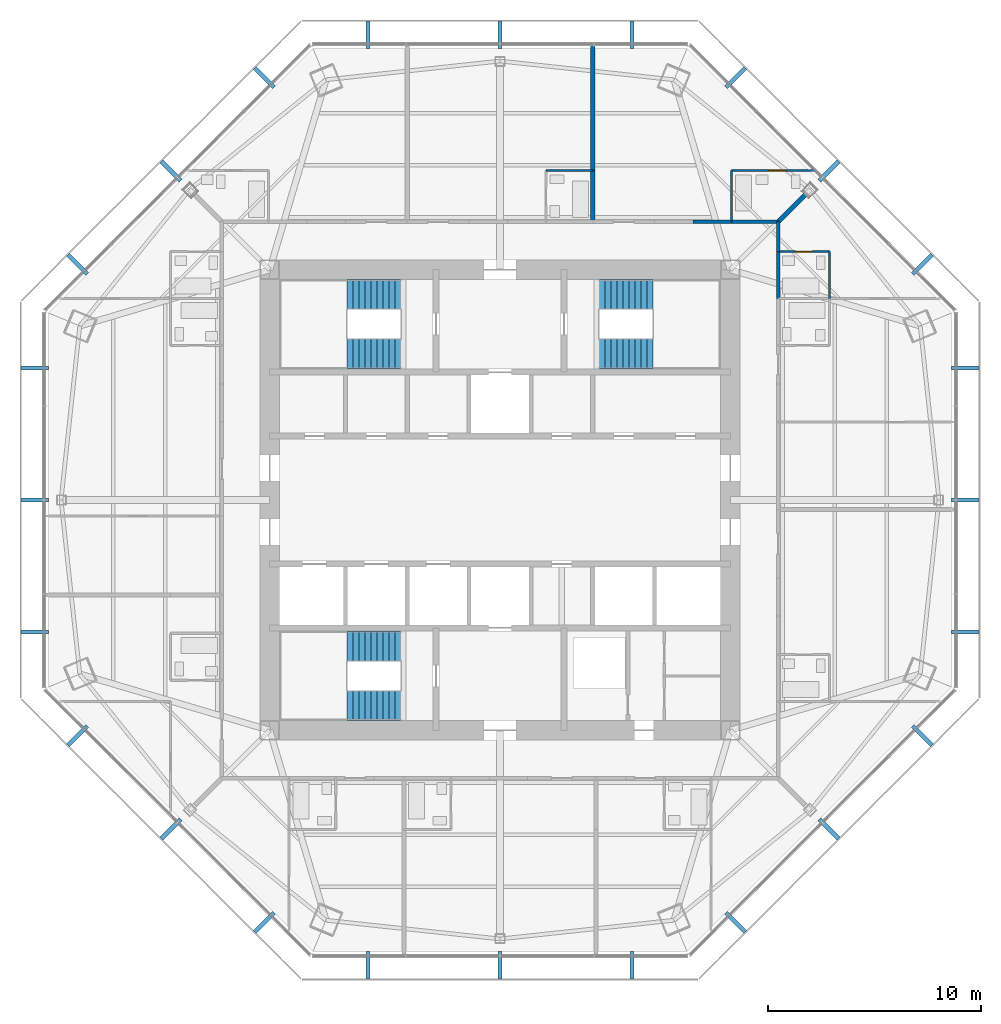
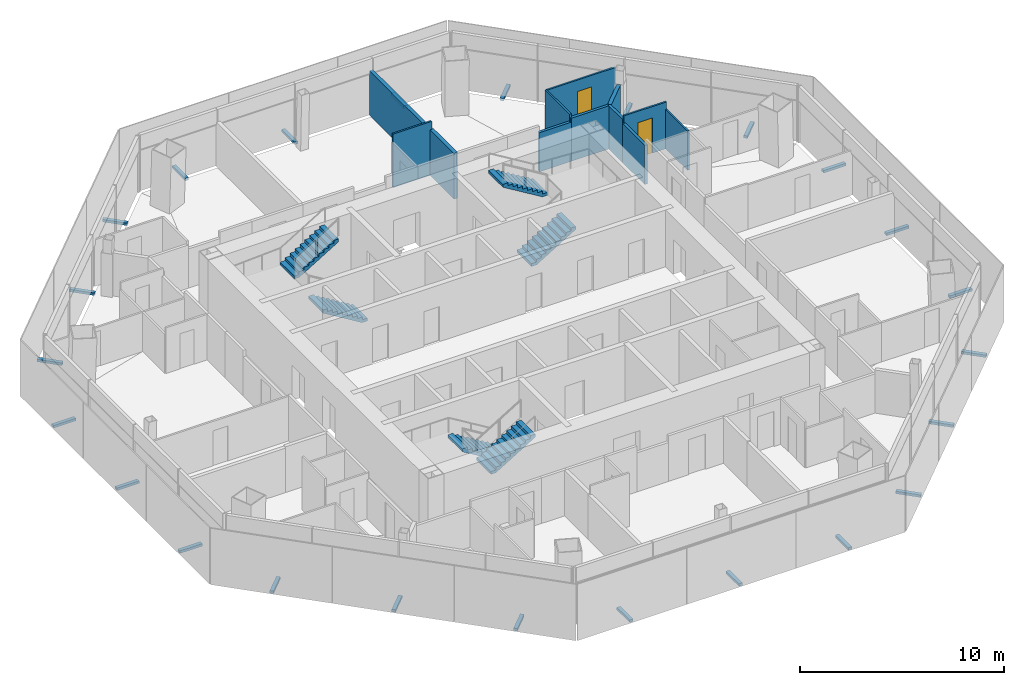
# One storey, part 13 of 15: 24 discrete accessories, 12 walls, 6 stair flights, 2 doors, 2 openings, 3 elements without a shape of their own.
"""IFC4 building model written with IfcOpenShell, lengths in metres."""

from ifc_helpers import new_model, si_unit, direction, frame, frame_2d, origin, origin_2d, place, context, subcontext, project, spatial, polyline, rectangle, outline, extrude, source, transform, mapped, material, layer, layer_set, type_object, type_shapes, element, fill, aggregate, save


model = new_model("IFC4")

# Units and contexts
model_context = context("Model", 3, precision=1e-05, world=origin(), true_north=direction((0.0, 1.0)))
body_context = subcontext(model_context, "Body", "Model", "MODEL_VIEW")
ifc_project = project(units=[si_unit("LENGTHUNIT", "METRE"), si_unit("AREAUNIT", "SQUARE_METRE"), si_unit("VOLUMEUNIT", "CUBIC_METRE"), si_unit("PLANEANGLEUNIT", "RADIAN"), si_unit("MASSUNIT", "GRAM", prefix="KILO")], contexts=[model_context])

# Site, building, storey
site_placement = place(None, origin())
site = spatial("IfcSite", under=ifc_project, at=site_placement, CompositionType="ELEMENT")
building_placement = place(site_placement, origin())
building = spatial("IfcBuilding", under=site, at=building_placement, Name="Mashrafa Tower", CompositionType="ELEMENT")
storey_placement = place(building_placement, frame((0.0, 0.0, 234.60009765625)))
storey = spatial("IfcBuildingStorey", under=building, at=storey_placement, Name="L55", CompositionType="ELEMENT", Elevation=234.60009765625)

# Walls
ifc_material_1 = material(Name="Gypsum board on steel studs", Category="steel")
ifc_layer_1 = layer(ifc_material_1, 0.199951171875)
ifc_layer_set_1 = layer_set([ifc_layer_1], Name="Acoustic partition 200 1 hr")
wall_type_1 = type_object("IfcWallType", Name="Acoustic partition 200 1 hr", PredefinedType="PARTITIONING", material=ifc_layer_set_1)
wall_1_placement = place(storey_placement, frame((14.310302734375, 14.310302734375, 0.0), z_axis=(0.0, 0.0, 1.0), x_axis=(-0.707106781187, -0.707106781187, 0.0)))
element("IfcWall", 1, at=wall_1_placement, inside=storey, type_object=wall_type_1, Name="Acoustic wall L55-056", PredefinedType="PARTITIONING", context=body_context, shape_type="SweptSolid", body=[
    extrude(rectangle(XDim=1.7822265625, YDim=0.199951171875, at=frame_2d((0.89111328125, 0.0))), origin(), (0.0, 0.0, 1.0), 2.582763671875),
])
wall_2_placement = place(storey_placement, frame((4.35009765625, 15.450927734375, 0.0), z_axis=(0.0, 0.0, 1.0), x_axis=(0.0, -1.0, 0.0)))
element("IfcWall", 2, at=wall_2_placement, inside=storey, type_object=wall_type_1, Name="Acoustic wall L55-063", PredefinedType="PARTITIONING", context=body_context, shape_type="SweptSolid", body=[
    extrude(rectangle(XDim=2.40087890625, YDim=0.199951171875, at=frame_2d((1.200439453125, 0.0))), origin(), (0.0, 0.0, 1.0), 2.730224609375),
])
wall_3_placement = place(storey_placement, frame((4.35009765625, 21.360107421875, 0.0), z_axis=(0.0, 0.0, 1.0), x_axis=(0.0, -1.0, 0.0)))
element("IfcWall", 3, at=wall_3_placement, inside=storey, type_object=wall_type_1, Name="Acoustic wall L55-064", PredefinedType="PARTITIONING", context=body_context, shape_type="SweptSolid", body=[
    extrude(rectangle(XDim=5.9111328125, YDim=0.199951171875, at=frame_2d((2.95556640625, 0.0))), origin(), (0.0, 0.0, 1.0), 2.66162109375),
])
ifc_material_2 = material(Name="Gypsum board on steel studs", Category="steel")
ifc_layer_2 = layer(ifc_material_2, 0.14990234375)
ifc_layer_set_2 = layer_set([ifc_layer_2], Name="Corridor partition 150 1 hr")
wall_type_2 = type_object("IfcWallType", Name="Corridor partition 150 1 hr", PredefinedType="PARTITIONING", material=ifc_layer_set_2)
wall_4_placement = place(storey_placement, frame((13.050048828125, 9.448974609375, 0.0), z_axis=(0.0, 0.0, 1.0), x_axis=(0.0, 1.0, 0.0)))
element("IfcWall", 4, at=wall_4_placement, inside=storey, type_object=wall_type_2, Name="Corridor wall L55-006", PredefinedType="PARTITIONING", context=body_context, shape_type="SweptSolid", body=[
    extrude(rectangle(XDim=2.201904296875, YDim=0.14990234375, at=frame_2d((1.10107421875, 0.0))), origin(), (0.0, 0.0, 1.0), 2.343994140625),
])
wall_5_placement = place(storey_placement, frame((13.050048828125, 11.64892578125, 0.0), z_axis=(0.0, 0.0, 1.0), x_axis=(0.0, 1.0, 0.0)))
element("IfcWall", 5, at=wall_5_placement, inside=storey, type_object=wall_type_2, Name="Corridor wall L55-007", PredefinedType="PARTITIONING", context=body_context, shape_type="SweptSolid", body=[
    extrude(rectangle(XDim=1.401123046875, YDim=0.14990234375, at=frame_2d((0.70068359375, 0.0))), origin(), (0.0, 0.0, 1.0), 2.582763671875),
])
wall_6_placement = place(storey_placement, frame((13.050048828125, 13.050048828125, 0.0), z_axis=(0.0, 0.0, 1.0), x_axis=(-1.0, 0.0, 0.0)))
element("IfcWall", 6, at=wall_6_placement, inside=storey, type_object=wall_type_2, Name="Corridor wall L55-012", PredefinedType="PARTITIONING", context=body_context, shape_type="SweptSolid", body=[
    extrude(rectangle(XDim=2.200927734375, YDim=0.14990234375, at=frame_2d((1.1005859375, 0.0))), origin(), (0.0, 0.0, 1.0), 2.582763671875),
])
wall_7_placement = place(storey_placement, frame((10.85107421875, 13.050048828125, 0.0), z_axis=(0.0, 0.0, 1.0), x_axis=(-1.0, 0.0, 0.0)))
element("IfcWall", 7, at=wall_7_placement, inside=storey, type_object=wall_type_2, Name="Corridor wall L55-015", PredefinedType="PARTITIONING", context=body_context, shape_type="SweptSolid", body=[
    extrude(rectangle(XDim=1.802001953125, YDim=0.14990234375, at=frame_2d((0.90087890625, 0.0))), origin(), (0.0, 0.0, 1.0), 2.343994140625),
])
ifc_material_3 = material(Name="Gypsum board on steel studs", Category="steel")
ifc_layer_3 = layer(ifc_material_3, 0.10009765625)
ifc_layer_set_3 = layer_set([ifc_layer_3], Name="Partition 100")
wall_type_3 = type_object("IfcWallType", Name="Partition 100", PredefinedType="PARTITIONING", material=ifc_layer_set_3)
wall_8_placement = place(storey_placement, frame((15.449951171875, 9.449951171875, 0.0), z_axis=(0.0, 0.0, 1.0), x_axis=(0.0, 1.0, 0.0)))
element("IfcWall", 8, at=wall_8_placement, inside=storey, type_object=wall_type_3, Name="Partition wall L55-052", PredefinedType="PARTITIONING", context=body_context, shape_type="SweptSolid", body=[
    extrude(rectangle(XDim=2.199951171875, YDim=0.10009765625, at=frame_2d((1.10009765625, 0.0))), origin(), (0.0, 0.0, 1.0), 2.343994140625),
])

# Wall, opening, door
wall_9_placement = place(storey_placement, frame((15.449951171875, 11.64990234375, 0.0), z_axis=(0.0, 0.0, 1.0), x_axis=(-1.0, 0.0, 0.0)))
wall_9 = element("IfcWall", 9, at=wall_9_placement, inside=storey, type_object=wall_type_3, Name="Partition wall L55-053", PredefinedType="PARTITIONING", context=body_context, shape_type="SweptSolid", body=[
    extrude(rectangle(XDim=2.39990234375, YDim=0.10009765625, at=frame_2d((1.199951171875, 0.0))), origin(), (0.0, 0.0, 1.0), 2.785888671875),
])
opening_1_placement = place(wall_9_placement, frame((0.800048828125, 0.0, 0.0)))
opening_1 = element("IfcOpeningElement", 10, at=opening_1_placement, cuts=wall_9, Name="Opening 55.004", PredefinedType="OPENING", context=body_context, shape_type="SweptSolid", body=[
    extrude(rectangle(XDim=0.800048828125, YDim=2.10009765625, at=frame_2d((0.39990234375, 1.050048828125))), frame((0.0, 0.06005859375, 0.0), z_axis=(0.0, -1.0, 0.0), x_axis=(1.0, 0.0, 0.0)), (0.0, 0.0, 1.0), 0.1201171875),
])
ifc_material_4 = material(Name="Timber door", Category="wood")
door_type = type_object("IfcDoorType", Name="Bathroom door 800 x 2100", OperationType="USERDEFINED", PredefinedType="DOOR", material=ifc_material_4)
door_1_placement = place(opening_1_placement, origin())
door_1 = element("IfcDoor", 11, at=door_1_placement, inside=storey, type_object=door_type, Name="Apartment 5502 En-suite Bathroom door", OperationType="SINGLE_SWING_RIGHT", OverallHeight=2.10009765625, OverallWidth=0.800048828125, PredefinedType="DOOR", context=body_context, shape_type="SweptSolid", body=[
    extrude(rectangle(XDim=0.800048828125, YDim=2.10009765625, at=frame_2d((0.39990234375, 1.050048828125))), frame((0.0, 0.02490234375, 0.0), z_axis=(0.0, -1.0, 0.0), x_axis=(1.0, 0.0, 0.0)), (0.0, 0.0, 1.0), 0.050048828125),
])
fill(opening_1, door_1)

wall_10_placement = place(storey_placement, frame((14.76171875, 15.449951171875, 0.0), z_axis=(0.0, 0.0, 1.0), x_axis=(-1.0, 0.0, 0.0)))
wall_10 = element("IfcWall", 12, at=wall_10_placement, inside=storey, type_object=wall_type_3, Name="Partition wall L55-061", PredefinedType="PARTITIONING", context=body_context, shape_type="SweptSolid", body=[
    extrude(rectangle(XDim=3.91162109375, YDim=0.10009765625, at=frame_2d((1.955810546875, 0.0))), origin(), (0.0, 0.0, 1.0), 2.783447265625),
])
opening_2_placement = place(wall_10_placement, frame((1.35888671875, 0.0, 0.0)))
opening_2 = element("IfcOpeningElement", 13, at=opening_2_placement, cuts=wall_10, Name="Opening 55.009", PredefinedType="OPENING", context=body_context, shape_type="SweptSolid", body=[
    extrude(rectangle(XDim=0.800048828125, YDim=2.10009765625, at=frame_2d((0.39990234375, 1.050048828125))), frame((0.0, 0.06005859375, 0.0), z_axis=(0.0, -1.0, 0.0), x_axis=(1.0, 0.0, 0.0)), (0.0, 0.0, 1.0), 0.1201171875),
])
door_2_placement = place(opening_2_placement, origin())
door_2 = element("IfcDoor", 14, at=door_2_placement, inside=storey, type_object=door_type, Name="Apartment 5503 Bathroom door", OperationType="SINGLE_SWING_LEFT", OverallHeight=2.10009765625, OverallWidth=0.800048828125, PredefinedType="DOOR", context=body_context, shape_type="SweptSolid", body=[
    extrude(rectangle(XDim=0.800048828125, YDim=2.10009765625, at=frame_2d((0.39990234375, 1.050048828125))), frame((0.0, 0.02490234375, 0.0), z_axis=(0.0, -1.0, 0.0), x_axis=(1.0, 0.0, 0.0)), (0.0, 0.0, 1.0), 0.050048828125),
])
fill(opening_2, door_2)

# Walls
wall_11_placement = place(storey_placement, frame((10.85009765625, 15.449951171875, 0.0), z_axis=(0.0, 0.0, 1.0), x_axis=(0.0, -1.0, 0.0)))
element("IfcWall", 15, at=wall_11_placement, inside=storey, type_object=wall_type_3, Name="Partition wall L55-062", PredefinedType="PARTITIONING", context=body_context, shape_type="SweptSolid", body=[
    extrude(rectangle(XDim=2.39990234375, YDim=0.10009765625, at=frame_2d((1.199951171875, 0.0))), origin(), (0.0, 0.0, 1.0), 2.785888671875),
])
wall_12_placement = place(storey_placement, frame((4.35009765625, 15.449951171875, 0.0), z_axis=(0.0, 0.0, 1.0), x_axis=(-1.0, 0.0, 0.0)))
element("IfcWall", 16, at=wall_12_placement, inside=storey, type_object=wall_type_3, Name="Partition wall L55-065", PredefinedType="PARTITIONING", context=body_context, shape_type="SweptSolid", body=[
    extrude(rectangle(XDim=2.2001953125, YDim=0.10009765625, at=frame_2d((1.10009765625, 0.0))), origin(), (0.0, 0.0, 1.0), 3.199951171875),
])

# Stair, stair flights
ifc_material_5 = material(Name="Exit stair 1400")
stair_type = type_object("IfcStairType", Name="Exit stair 1400", PredefinedType="HALF_TURN_STAIR", material=ifc_material_5)
stair_1_placement = place(storey_placement, origin())
stair_1 = element("IfcStair", 17, at=stair_1_placement, inside=storey, type_object=stair_type, Name="Stair S1 L55", PredefinedType="HALF_TURN_STAIR")
ifc_material_6 = material(Name="Concrete C32/40", Category="concrete")
stair_flight_type = type_object("IfcStairFlightType", Name="Stair flight 1400", PredefinedType="STRAIGHT", material=ifc_material_6)
stair_flight_1_placement = place(storey_placement, frame((-4.64990234375, 6.85009765625, 0.0), z_axis=(0.0, 0.0, 1.0), x_axis=(-1.0, 0.0, 0.0)))
stair_flight_1 = element("IfcStairFlight", 18, at=stair_flight_1_placement, type_object=stair_flight_type, Name="S1 flight 1", NumberOfRisers=10, NumberOfTreads=9, PredefinedType="STRAIGHT", RiserHeight=0.17, TreadLength=0.28, context=body_context, shape_type="SweptSolid", body=[
    extrude(outline(polyline([(0.0, 0.0), (0.0, 0.169921875), (0.280029296875, 0.169921875), (0.280029296875, 0.340087890625), (0.56005859375, 0.340087890625), (0.56005859375, 0.510009765625), (0.840087890625, 0.510009765625), (0.840087890625, 0.679931640625), (1.1201171875, 0.679931640625), (1.1201171875, 0.85009765625), (1.39990234375, 0.85009765625), (1.39990234375, 1.02001953125), (1.679931640625, 1.02001953125), (1.679931640625, 1.18994140625), (1.9599609375, 1.18994140625), (1.9599609375, 1.360107421875), (2.239990234375, 1.360107421875), (2.239990234375, 1.530029296875), (2.52001953125, 1.530029296875), (2.52001953125, 1.699951171875), (2.52001953125, 1.354736328125), (0.288818359375, 0.0), (0.0, 0.0)])), frame((0.0, 0.699951171875, 0.0), z_axis=(0.0, -1.0, 0.0), x_axis=(1.0, 0.0, 0.0)), (0.0, 0.0, 1.0), 1.39990234375),
])
stair_flight_2_placement = place(storey_placement, frame((-7.169921875, 9.64990234375, 1.699951171875), z_axis=(0.0, 0.0, 1.0), x_axis=(1.0, 0.0, 0.0)))
stair_flight_2 = element("IfcStairFlight", 19, at=stair_flight_2_placement, type_object=stair_flight_type, Name="S1 flight 2", NumberOfRisers=10, NumberOfTreads=9, PredefinedType="STRAIGHT", RiserHeight=0.17, TreadLength=0.28, context=body_context, shape_type="SweptSolid", body=[
    extrude(outline(polyline([(0.0, 0.0), (0.0, 0.169921875), (0.280029296875, 0.169921875), (0.280029296875, 0.340087890625), (0.56005859375, 0.340087890625), (0.56005859375, 0.510009765625), (0.840087890625, 0.510009765625), (0.840087890625, 0.679931640625), (1.1201171875, 0.679931640625), (1.1201171875, 0.85009765625), (1.39990234375, 0.85009765625), (1.39990234375, 1.02001953125), (1.679931640625, 1.02001953125), (1.679931640625, 1.18994140625), (1.9599609375, 1.18994140625), (1.9599609375, 1.360107421875), (2.239990234375, 1.360107421875), (2.239990234375, 1.530029296875), (2.52001953125, 1.530029296875), (2.52001953125, 1.699951171875), (2.52001953125, 1.354736328125), (0.288818359375, 0.0), (0.0, 0.0)])), frame((0.0, 0.699951171875, 0.0), z_axis=(0.0, -1.0, 0.0), x_axis=(1.0, 0.0, 0.0)), (0.0, 0.0, 1.0), 1.39990234375),
])
aggregate(stair_1, [stair_flight_1, stair_flight_2])

stair_2_placement = place(storey_placement, origin())
stair_2 = element("IfcStair", 20, at=stair_2_placement, inside=storey, type_object=stair_type, Name="Stair S2 L55", PredefinedType="HALF_TURN_STAIR")
stair_flight_3_placement = place(storey_placement, frame((4.64990234375, 6.85009765625, 0.0), z_axis=(0.0, 0.0, 1.0), x_axis=(1.0, 0.0, 0.0)))
stair_flight_3 = element("IfcStairFlight", 21, at=stair_flight_3_placement, type_object=stair_flight_type, Name="S2 flight 1", NumberOfRisers=10, NumberOfTreads=9, PredefinedType="STRAIGHT", RiserHeight=0.17, TreadLength=0.28, context=body_context, shape_type="SweptSolid", body=[
    extrude(outline(polyline([(0.0, 0.0), (0.0, 0.169921875), (0.280029296875, 0.169921875), (0.280029296875, 0.340087890625), (0.56005859375, 0.340087890625), (0.56005859375, 0.510009765625), (0.840087890625, 0.510009765625), (0.840087890625, 0.679931640625), (1.1201171875, 0.679931640625), (1.1201171875, 0.85009765625), (1.39990234375, 0.85009765625), (1.39990234375, 1.02001953125), (1.679931640625, 1.02001953125), (1.679931640625, 1.18994140625), (1.9599609375, 1.18994140625), (1.9599609375, 1.360107421875), (2.239990234375, 1.360107421875), (2.239990234375, 1.530029296875), (2.52001953125, 1.530029296875), (2.52001953125, 1.699951171875), (2.52001953125, 1.354736328125), (0.288818359375, 0.0), (0.0, 0.0)])), frame((0.0, 0.699951171875, 0.0), z_axis=(0.0, -1.0, 0.0), x_axis=(1.0, 0.0, 0.0)), (0.0, 0.0, 1.0), 1.39990234375),
])
stair_flight_4_placement = place(storey_placement, frame((7.169921875, 9.64990234375, 1.699951171875), z_axis=(0.0, 0.0, 1.0), x_axis=(-1.0, 0.0, 0.0)))
stair_flight_4 = element("IfcStairFlight", 22, at=stair_flight_4_placement, type_object=stair_flight_type, Name="S2 flight 2", NumberOfRisers=10, NumberOfTreads=9, PredefinedType="STRAIGHT", RiserHeight=0.17, TreadLength=0.28, context=body_context, shape_type="SweptSolid", body=[
    extrude(outline(polyline([(0.0, 0.0), (0.0, 0.169921875), (0.280029296875, 0.169921875), (0.280029296875, 0.340087890625), (0.56005859375, 0.340087890625), (0.56005859375, 0.510009765625), (0.840087890625, 0.510009765625), (0.840087890625, 0.679931640625), (1.1201171875, 0.679931640625), (1.1201171875, 0.85009765625), (1.39990234375, 0.85009765625), (1.39990234375, 1.02001953125), (1.679931640625, 1.02001953125), (1.679931640625, 1.18994140625), (1.9599609375, 1.18994140625), (1.9599609375, 1.360107421875), (2.239990234375, 1.360107421875), (2.239990234375, 1.530029296875), (2.52001953125, 1.530029296875), (2.52001953125, 1.699951171875), (2.52001953125, 1.354736328125), (0.288818359375, 0.0), (0.0, 0.0)])), frame((0.0, 0.699951171875, 0.0), z_axis=(0.0, -1.0, 0.0), x_axis=(1.0, 0.0, 0.0)), (0.0, 0.0, 1.0), 1.39990234375),
])
aggregate(stair_2, [stair_flight_3, stair_flight_4])

stair_3_placement = place(storey_placement, origin())
stair_3 = element("IfcStair", 23, at=stair_3_placement, inside=storey, type_object=stair_type, Name="Stair S3 L55", PredefinedType="HALF_TURN_STAIR")
stair_flight_5_placement = place(storey_placement, frame((-4.64990234375, -6.85009765625, 0.0), z_axis=(0.0, 0.0, 1.0), x_axis=(-1.0, 0.0, 0.0)))
stair_flight_5 = element("IfcStairFlight", 24, at=stair_flight_5_placement, type_object=stair_flight_type, Name="S3 flight 1", NumberOfRisers=10, NumberOfTreads=9, PredefinedType="STRAIGHT", RiserHeight=0.17, TreadLength=0.28, context=body_context, shape_type="SweptSolid", body=[
    extrude(outline(polyline([(0.0, 0.0), (0.0, 0.169921875), (0.280029296875, 0.169921875), (0.280029296875, 0.340087890625), (0.56005859375, 0.340087890625), (0.56005859375, 0.510009765625), (0.840087890625, 0.510009765625), (0.840087890625, 0.679931640625), (1.1201171875, 0.679931640625), (1.1201171875, 0.85009765625), (1.39990234375, 0.85009765625), (1.39990234375, 1.02001953125), (1.679931640625, 1.02001953125), (1.679931640625, 1.18994140625), (1.9599609375, 1.18994140625), (1.9599609375, 1.360107421875), (2.239990234375, 1.360107421875), (2.239990234375, 1.530029296875), (2.52001953125, 1.530029296875), (2.52001953125, 1.699951171875), (2.52001953125, 1.354736328125), (0.288818359375, 0.0), (0.0, 0.0)])), frame((0.0, 0.699951171875, 0.0), z_axis=(0.0, -1.0, 0.0), x_axis=(1.0, 0.0, 0.0)), (0.0, 0.0, 1.0), 1.39990234375),
])
stair_flight_6_placement = place(storey_placement, frame((-7.169921875, -9.64990234375, 1.699951171875), z_axis=(0.0, 0.0, 1.0), x_axis=(1.0, 0.0, 0.0)))
stair_flight_6 = element("IfcStairFlight", 25, at=stair_flight_6_placement, type_object=stair_flight_type, Name="S3 flight 2", NumberOfRisers=10, NumberOfTreads=9, PredefinedType="STRAIGHT", RiserHeight=0.17, TreadLength=0.28, context=body_context, shape_type="SweptSolid", body=[
    extrude(outline(polyline([(0.0, 0.0), (0.0, 0.169921875), (0.280029296875, 0.169921875), (0.280029296875, 0.340087890625), (0.56005859375, 0.340087890625), (0.56005859375, 0.510009765625), (0.840087890625, 0.510009765625), (0.840087890625, 0.679931640625), (1.1201171875, 0.679931640625), (1.1201171875, 0.85009765625), (1.39990234375, 0.85009765625), (1.39990234375, 1.02001953125), (1.679931640625, 1.02001953125), (1.679931640625, 1.18994140625), (1.9599609375, 1.18994140625), (1.9599609375, 1.360107421875), (2.239990234375, 1.360107421875), (2.239990234375, 1.530029296875), (2.52001953125, 1.530029296875), (2.52001953125, 1.699951171875), (2.52001953125, 1.354736328125), (0.288818359375, 0.0), (0.0, 0.0)])), frame((0.0, 0.699951171875, 0.0), z_axis=(0.0, -1.0, 0.0), x_axis=(1.0, 0.0, 0.0)), (0.0, 0.0, 1.0), 1.39990234375),
])
aggregate(stair_3, [stair_flight_5, stair_flight_6])

# Discrete accessories
ifc_material_7 = material(Name="Stainless steel screen bracket", Category="steel")
discrete_accessory_type = type_object("IfcDiscreteAccessoryType", Name="Screen support bracket 200 x 150", PredefinedType="BRACKET", material=ifc_material_7)
shared_shape = source(origin(), body_context, "Body", "SweptSolid", [
    extrude(rectangle(XDim=0.199951171875, YDim=1.27001953125, at=origin_2d()), origin(), (0.0, 0.0, 1.0), 0.14990234375),
])
type_shapes(discrete_accessory_type, [shared_shape])
for number, where, z_axis, x_axis, name in (
    (26, (21.813232421875, -6.192138671875, -0.150146484375), (0.0, 0.0, 1.0), (0.0, 1.0, 0.0), "Screen support bracket L55 east 1"),
    (27, (21.813232421875, 0.0, -0.150146484375), (0.0, 0.0, 1.0), (0.0, 1.0, 0.0), "Screen support bracket L55 east 2"),
    (28, (21.813232421875, 6.192138671875, -0.150146484375), (0.0, 0.0, 1.0), (0.0, 1.0, 0.0), "Screen support bracket L55 east 3"),
    (29, (19.802734375, 11.045654296875, -0.150146484375), (0.0, 0.0, 1.0), (-0.707106781187, 0.707106781187, 0.0), "Screen support bracket L55 north-east 1"),
    (30, (15.42431640625, 15.42431640625, -0.150146484375), (0.0, 0.0, 1.0), (-0.707106781187, 0.707106781187, 0.0), "Screen support bracket L55 north-east 2"),
    (31, (11.045654296875, 19.802734375, -0.150146484375), (0.0, 0.0, 1.0), (-0.707106781187, 0.707106781187, 0.0), "Screen support bracket L55 north-east 3"),
    (32, (6.192138671875, 21.813232421875, -0.150146484375), (0.0, 0.0, 1.0), (-1.0, 0.0, 0.0), "Screen support bracket L55 north 1"),
    (33, (0.0, 21.813232421875, -0.150146484375), (0.0, 0.0, 1.0), (-1.0, 0.0, 0.0), "Screen support bracket L55 north 2"),
    (34, (-6.192138671875, 21.813232421875, -0.150146484375), (0.0, 0.0, 1.0), (-1.0, 0.0, 0.0), "Screen support bracket L55 north 3"),
    (35, (-11.045654296875, 19.802734375, -0.150146484375), (0.0, 0.0, 1.0), (-0.707106781187, -0.707106781187, 0.0), "Screen support bracket L55 north-west 1"),
    (36, (-15.42431640625, 15.42431640625, -0.150146484375), (0.0, 0.0, 1.0), (-0.707106781187, -0.707106781187, 0.0), "Screen support bracket L55 north-west 2"),
    (37, (-19.802734375, 11.045654296875, -0.150146484375), (0.0, 0.0, 1.0), (-0.707106781187, -0.707106781187, 0.0), "Screen support bracket L55 north-west 3"),
    (38, (-21.813232421875, 6.192138671875, -0.150146484375), (0.0, 0.0, 1.0), (0.0, -1.0, 0.0), "Screen support bracket L55 west 1"),
    (39, (-21.813232421875, 0.0, -0.150146484375), (0.0, 0.0, 1.0), (0.0, -1.0, 0.0), "Screen support bracket L55 west 2"),
    (40, (-21.813232421875, -6.192138671875, -0.150146484375), (0.0, 0.0, 1.0), (0.0, -1.0, 0.0), "Screen support bracket L55 west 3"),
    (41, (-19.802734375, -11.045654296875, -0.150146484375), (0.0, 0.0, 1.0), (0.707106781187, -0.707106781187, 0.0), "Screen support bracket L55 south-west 1"),
    (42, (-15.42431640625, -15.42431640625, -0.150146484375), (0.0, 0.0, 1.0), (0.707106781187, -0.707106781187, 0.0), "Screen support bracket L55 south-west 2"),
    (43, (-11.045654296875, -19.802734375, -0.150146484375), (0.0, 0.0, 1.0), (0.707106781187, -0.707106781187, 0.0), "Screen support bracket L55 south-west 3"),
    (44, (-6.192138671875, -21.813232421875, -0.150146484375), (0.0, 0.0, 1.0), (1.0, 0.0, 0.0), "Screen support bracket L55 south 1"),
    (45, (0.0, -21.813232421875, -0.150146484375), (0.0, 0.0, 1.0), (1.0, 0.0, 0.0), "Screen support bracket L55 south 2"),
    (46, (6.192138671875, -21.813232421875, -0.150146484375), (0.0, 0.0, 1.0), (1.0, 0.0, 0.0), "Screen support bracket L55 south 3"),
    (47, (11.045654296875, -19.802734375, -0.150146484375), (0.0, 0.0, 1.0), (0.707106781187, 0.707106781187, 0.0), "Screen support bracket L55 south-east 1"),
    (48, (15.42431640625, -15.42431640625, -0.150146484375), (0.0, 0.0, 1.0), (0.707106781187, 0.707106781187, 0.0), "Screen support bracket L55 south-east 2"),
    (49, (19.802734375, -11.045654296875, -0.150146484375), (0.0, 0.0, 1.0), (0.707106781187, 0.707106781187, 0.0), "Screen support bracket L55 south-east 3"),
):
    element("IfcDiscreteAccessory", number, at=place(storey_placement, frame(where, z_axis=z_axis, x_axis=x_axis)), inside=storey, type_object=discrete_accessory_type, Name=name, PredefinedType="BRACKET", context=body_context, shape_type="MappedRepresentation", body=[
        mapped(shared_shape, transform((0.0, 0.0, 0.0))),
    ])

save(model, "model.ifc")
